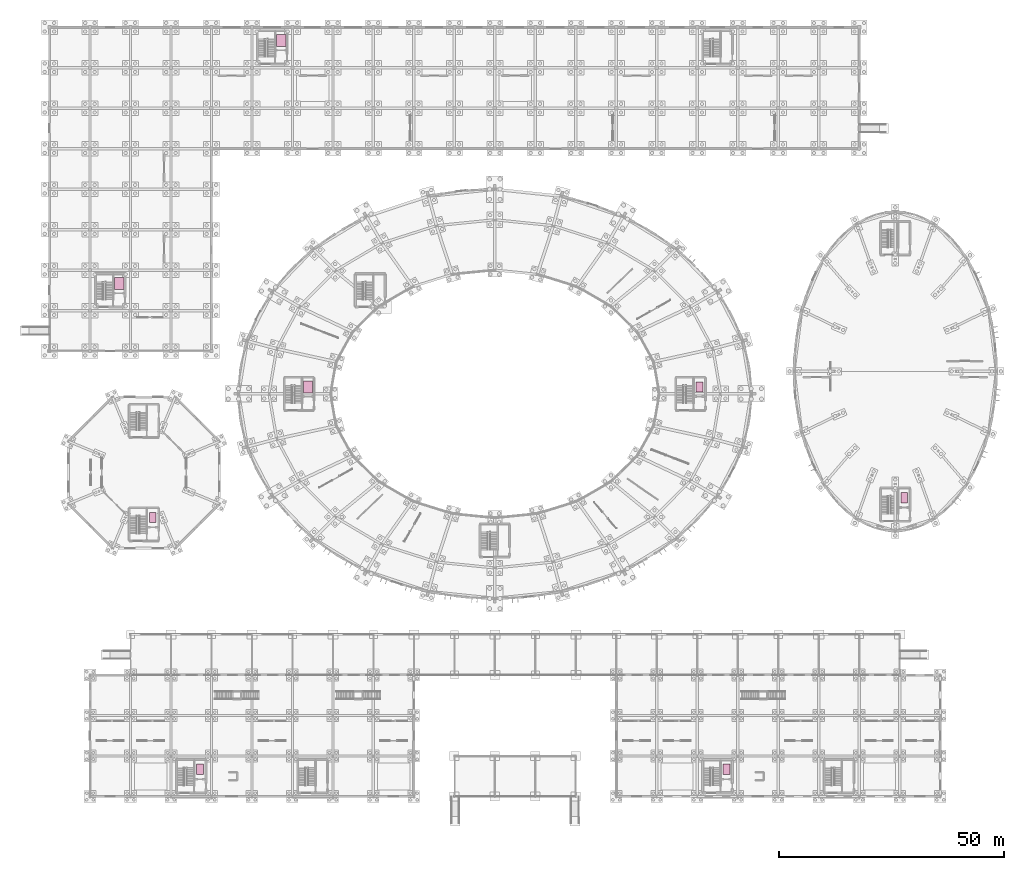
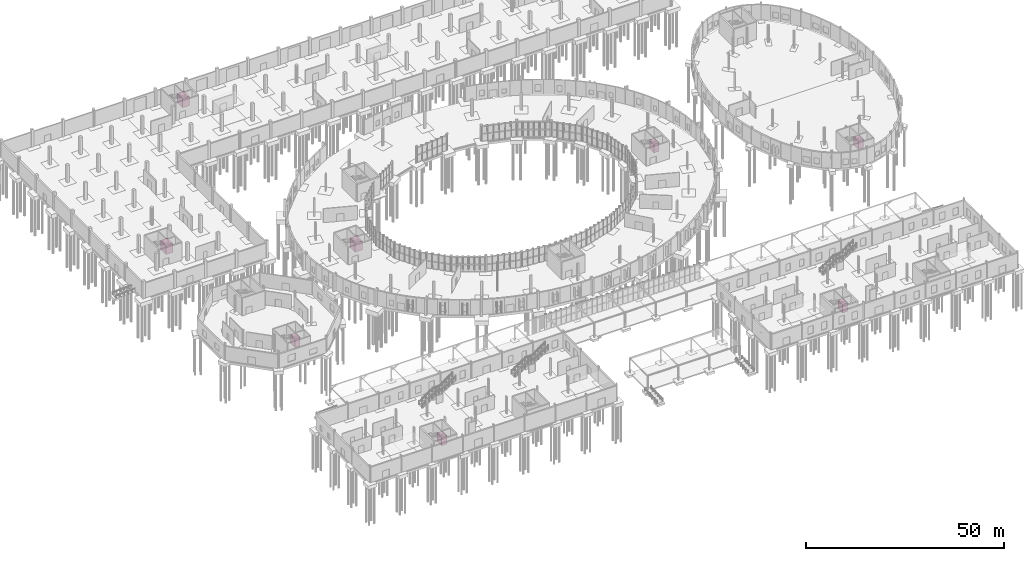
# One storey, part 118 of 118: 8 transport elements.
"""IFC4 building model written with IfcOpenShell, lengths in metres."""

from ifc_helpers import new_model, si_unit, direction, frame, origin, origin_2d, place, context, subcontext, project, spatial, rectangle, extrude, material, type_object, element, save


model = new_model("IFC4")

# Units and contexts
model_context = context("Model", 3, precision=1e-05, world=origin(), true_north=direction((0.0, 1.0)))
body_context = subcontext(model_context, "Body", "Model", "MODEL_VIEW")
ifc_project = project(units=[si_unit("LENGTHUNIT", "METRE"), si_unit("AREAUNIT", "SQUARE_METRE"), si_unit("VOLUMEUNIT", "CUBIC_METRE"), si_unit("PLANEANGLEUNIT", "RADIAN"), si_unit("MASSUNIT", "GRAM", prefix="KILO")], contexts=[model_context])

# Site, building, storey
site_placement = place(None, origin())
site = spatial("IfcSite", under=ifc_project, at=site_placement, CompositionType="ELEMENT")
building_placement = place(site_placement, origin())
building = spatial("IfcBuilding", under=site, at=building_placement, Name="Kildeholm Park Wholesale Market", CompositionType="ELEMENT")
storey_placement = place(building_placement, origin())
storey = spatial("IfcBuildingStorey", under=building, at=storey_placement, Name="L00", CompositionType="ELEMENT", Elevation=0.0)

# Transport elements
ifc_material = material(Name="Stainless steel AISI 316", Category="steel")
transport_element_type_1 = type_object("IfcTransportElementType", Name="Heavy pallet cold-chain goods lift LF-GDS 2200x2800", PredefinedType="ELEVATOR", material=ifc_material)
for number, where, z_axis, x_axis, name in (
    (1, (15.47509765625, 114.02490234375, 0.0), (0.0, 0.0, 1.0), (1.0, 0.0, 0.0), "Goods lift car LF-06 LFT-0001"),
    (2, (51.47509765625, 168.02490234375, 0.0), (0.0, 0.0, 1.0), (1.0, 0.0, 0.0), "Goods lift car LF-07 LFT-0002"),
    (3, (57.47509765625, 91.02490234375, 0.0), (0.0, 0.0, 1.0), (1.0, 0.0, 0.0), "Goods lift car LF-08 LFT-0006"),
):
    element("IfcTransportElement", number, at=place(storey_placement, frame(where, z_axis=z_axis, x_axis=x_axis)), inside=storey, type_object=transport_element_type_1, Name=name, PredefinedType="ELEVATOR", context=body_context, shape_type="SweptSolid", body=[
        extrude(rectangle(XDim=2.10009765625, YDim=2.699951171875, at=origin_2d()), origin(), (0.0, 0.0, 1.0), 2.85009765625),
    ])
transport_element_type_2 = type_object("IfcTransportElementType", Name="Passenger and stretcher market lift LF-PAS 1600x2400", PredefinedType="ELEVATOR", material=ifc_material)
for number, where, z_axis, x_axis, name in (
    (4, (33.47509765625, 6.02490234375, 0.0), (0.0, 0.0, 1.0), (1.0, 0.0, 0.0), "Passenger lift car LF-01 LFT-0003"),
    (5, (150.47509765625, 6.02490234375, 0.0), (0.0, 0.0, 1.0), (1.0, 0.0, 0.0), "Passenger lift car LF-02 LFT-0004"),
    (6, (144.47509765625, 91.02490234375, 0.0), (0.0, 0.0, 1.0), (1.0, 0.0, 0.0), "Passenger lift car LF-03 LFT-0005"),
    (7, (189.97509765625, 66.425048828125, 0.0), (0.0, 0.0, 1.0), (1.0, 0.0, 0.0), "Passenger lift car LF-04 LFT-0007"),
    (8, (22.97509765625, 62.02490234375, 0.0), (0.0, 0.0, 1.0), (1.0, 0.0, 0.0), "Passenger lift car LF-05 LFT-0008"),
):
    element("IfcTransportElement", number, at=place(storey_placement, frame(where, z_axis=z_axis, x_axis=x_axis)), inside=storey, type_object=transport_element_type_2, Name=name, PredefinedType="ELEVATOR", context=body_context, shape_type="SweptSolid", body=[
        extrude(rectangle(XDim=1.5, YDim=2.300048828125, at=origin_2d()), origin(), (0.0, 0.0, 1.0), 2.64990234375),
    ])

save(model, "model.ifc")
